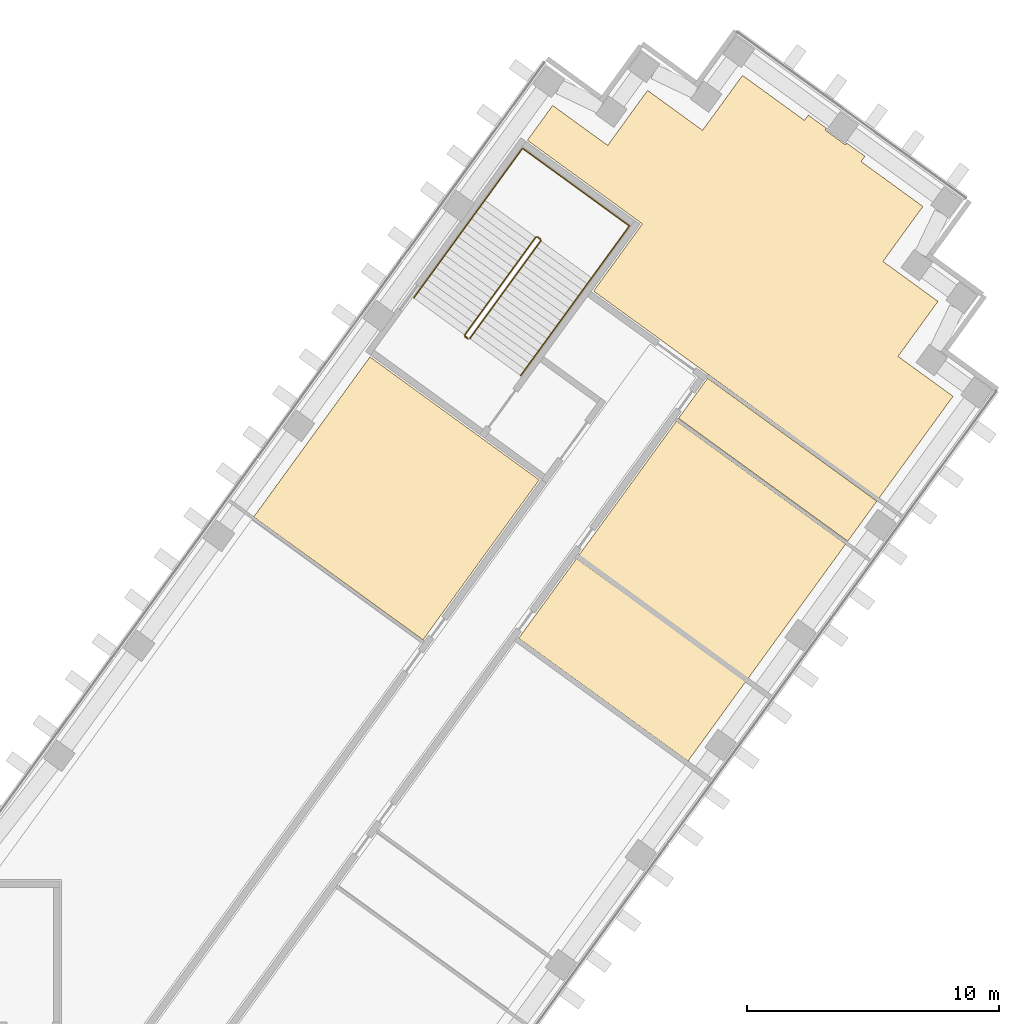
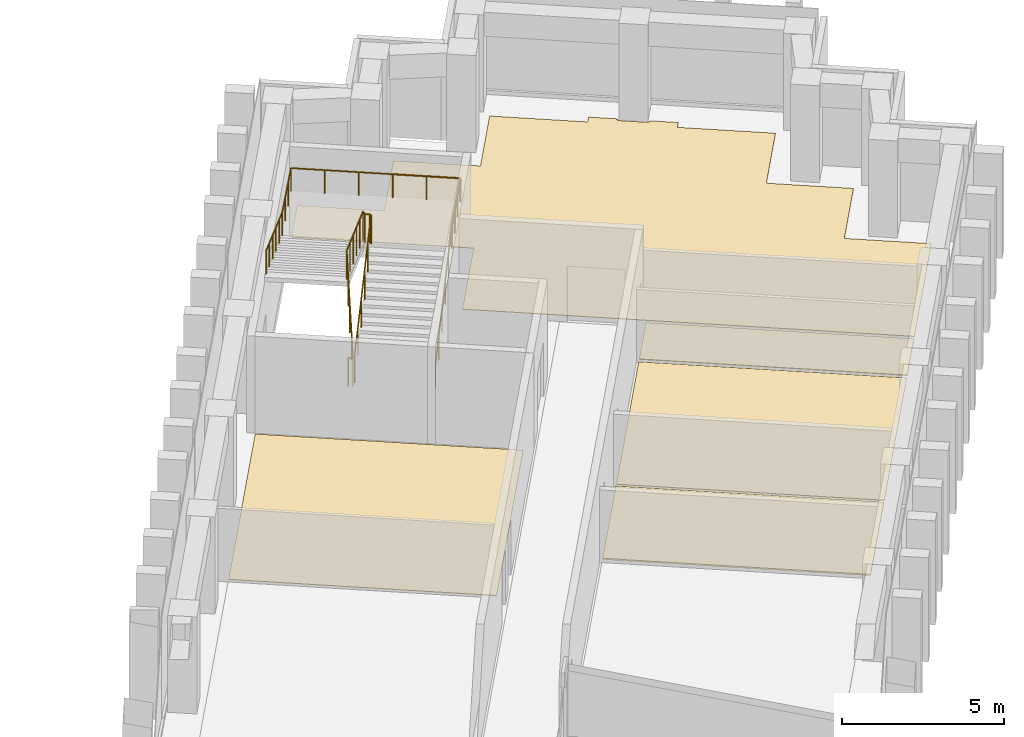
# One storey, part 17 of 17: 5 coverings, 2 railings.
"""IFC4 building model written with IfcOpenShell, lengths in metres."""

from ifc_helpers import new_model, si_unit, direction, frame, origin, origin_2d, place, context, subcontext, project, spatial, polyline, circle, outline, extrude, material, layer, layer_set, type_object, element, save


model = new_model("IFC4")

# Units and contexts
model_context = context("Model", 3, precision=1e-05, world=origin(), true_north=direction((0.0, 1.0)))
body_context = subcontext(model_context, "Body", "Model", "MODEL_VIEW")
ifc_project = project(units=[si_unit("LENGTHUNIT", "METRE"), si_unit("AREAUNIT", "SQUARE_METRE"), si_unit("VOLUMEUNIT", "CUBIC_METRE"), si_unit("PLANEANGLEUNIT", "RADIAN"), si_unit("MASSUNIT", "GRAM", prefix="KILO")], contexts=[model_context])

# Site, building, storey
site_placement = place(None, origin())
site = spatial("IfcSite", under=ifc_project, at=site_placement, CompositionType="ELEMENT")
building_placement = place(site_placement, origin())
building = spatial("IfcBuilding", under=site, at=building_placement, Name="Quipu Civic Tower", CompositionType="ELEMENT")
storey_placement = place(building_placement, frame((0.0, 0.0, 39.0)))
storey = spatial("IfcBuildingStorey", under=building, at=storey_placement, Name="L08", CompositionType="ELEMENT", Elevation=39.0)

# Coverings
ifc_material_1 = material(Name="Carpet tile on raised access floor")
ifc_layer_1 = layer(ifc_material_1, 0.02001953125)
ifc_layer_set_1 = layer_set([ifc_layer_1], Name="Carpet tile on raised access floor")
covering_type_1 = type_object("IfcCoveringType", Name="Carpet tile floor finish 20", PredefinedType="FLOORING", material=ifc_layer_set_1)
covering_1_placement = place(storey_placement, origin())
element("IfcCovering", 1, at=covering_1_placement, inside=storey, type_object=covering_type_1, Name="Carpet tile floor finish 20", PredefinedType="FLOORING", context=body_context, shape_type="SweptSolid", body=[
    extrude(outline(polyline([(25.698974609375, 24.56689453125), (30.31494140625, 30.922119140625), (37.0380859375, 26.0380859375), (32.422119140625, 19.68310546875), (25.698974609375, 24.56689453125)])), origin(), (0.0, 0.0, 1.0), 0.02001953125),
])
covering_2_placement = place(storey_placement, origin())
element("IfcCovering", 2, at=covering_2_placement, inside=storey, type_object=covering_type_1, Name="Carpet tile floor finish 20", PredefinedType="FLOORING", context=body_context, shape_type="SweptSolid", body=[
    extrude(outline(polyline([(38.60791015625, 23.02490234375), (42.491943359375, 28.373046875), (49.216064453125, 23.489013671875), (45.3310546875, 18.14111328125), (38.60791015625, 23.02490234375)])), origin(), (0.0, 0.0, 1.0), 0.02001953125),
])
covering_3_placement = place(storey_placement, origin())
element("IfcCovering", 3, at=covering_3_placement, inside=storey, type_object=covering_type_1, Name="Carpet tile floor finish 20", PredefinedType="FLOORING", context=body_context, shape_type="SweptSolid", body=[
    extrude(outline(polyline([(36.570068359375, 39.530029296875), (37.574951171875, 40.9130859375), (39.760009765625, 39.326904296875), (41.345947265625, 41.510986328125), (43.530029296875, 39.925048828125), (45.116943359375, 42.10791015625), (47.574951171875, 40.322021484375), (47.72900390625, 40.531982421875), (48.449951171875, 40.008056640625), (48.427001953125, 39.97705078125), (48.424072265625, 39.972900390625), (48.422119140625, 39.968017578125), (48.419921875, 39.964111328125), (48.4189453125, 39.958984375), (48.41796875, 39.9541015625), (48.4169921875, 39.948974609375), (48.4169921875, 39.944091796875), (48.41796875, 39.93994140625), (48.4189453125, 39.93505859375), (48.419921875, 39.929931640625), (48.422119140625, 39.926025390625), (48.425048828125, 39.9208984375), (48.427001953125, 39.9169921875), (48.430908203125, 39.9130859375), (48.43408203125, 39.909912109375), (48.43798828125, 39.906982421875), (49.166015625, 39.3779296875), (49.169921875, 39.375), (49.174072265625, 39.373046875), (49.178955078125, 39.37109375), (49.18408203125, 39.3701171875), (49.18896484375, 39.368896484375), (49.193115234375, 39.367919921875), (49.197998046875, 39.367919921875), (49.202880859375, 39.368896484375), (49.2080078125, 39.3701171875), (49.212890625, 39.37109375), (49.217041015625, 39.373046875), (49.220947265625, 39.3759765625), (49.22607421875, 39.3779296875), (49.22900390625, 39.382080078125), (49.23291015625, 39.385009765625), (49.236083984375, 39.388916015625), (49.259033203125, 39.4208984375), (49.97900390625, 38.89697265625), (49.826904296875, 38.68603515625), (52.284912109375, 36.90087890625), (50.698974609375, 34.717041015625), (52.883056640625, 33.12890625), (51.297119140625, 30.945068359375), (53.47998046875, 29.35791015625), (50.535888671875, 25.304931640625), (39.200927734375, 33.5390625), (41.139892578125, 36.208984375), (36.570068359375, 39.530029296875)])), origin(), (0.0, 0.0, 1.0), 0.02001953125),
])
ifc_material_2 = material(Name="Ceramic floor tile")
ifc_layer_2 = layer(ifc_material_2, 0.030029296875)
ifc_layer_set_2 = layer_set([ifc_layer_2], Name="Ceramic floor tile")
covering_type_2 = type_object("IfcCoveringType", Name="Ceramic tile floor finish 30", PredefinedType="FLOORING", material=ifc_layer_set_2)
covering_4_placement = place(storey_placement, origin())
element("IfcCovering", 4, at=covering_4_placement, inside=storey, type_object=covering_type_2, Name="Ceramic tile floor finish 30", PredefinedType="FLOORING", context=body_context, shape_type="SweptSolid", body=[
    extrude(outline(polyline([(42.574951171875, 28.486083984375), (43.72998046875, 30.075927734375), (50.452880859375, 25.19189453125), (49.299072265625, 23.60205078125), (42.574951171875, 28.486083984375)])), origin(), (0.0, 0.0, 1.0), 0.030029296875),
])
ifc_material_3 = material(Name="Sealed cement screed")
ifc_layer_3 = layer(ifc_material_3, 0.050048828125)
ifc_layer_set_3 = layer_set([ifc_layer_3], Name="Sealed cement screed")
covering_type_3 = type_object("IfcCoveringType", Name="Sealed screed floor finish 50", PredefinedType="FLOORING", material=ifc_layer_set_3)
covering_5_placement = place(storey_placement, origin())
element("IfcCovering", 5, at=covering_5_placement, inside=storey, type_object=covering_type_3, Name="Sealed screed floor finish 50", PredefinedType="FLOORING", context=body_context, shape_type="SweptSolid", body=[
    extrude(outline(polyline([(36.22705078125, 19.748046875), (38.52490234375, 22.912109375), (45.248046875, 18.028076171875), (42.950927734375, 14.864990234375), (36.22705078125, 19.748046875)])), origin(), (0.0, 0.0, 1.0), 0.050048828125),
])

# Railings
ifc_material_4 = material(Name="Stainless steel", Category="steel")
railing_type_1 = type_object("IfcRailingType", Name="Stair guard 1100", PredefinedType="GUARDRAIL", material=ifc_material_4)
railing_1_placement = place(storey_placement, frame((34.28125, 31.650390625, 0.11767578125)))
element("IfcRailing", 6, at=railing_1_placement, inside=storey, type_object=railing_type_1, Name="Stair 7 guard", PredefinedType="GUARDRAIL", context=body_context, shape_type="SweptSolid", body=[
    extrude(circle(Radius=0.02392578125, at=origin_2d()), frame((0.0, 0.0, 1.076171875), z_axis=(0.54720100349, 0.753182689643, 0.365084781664), x_axis=(-0.809026317077, 0.587772420479, 0.0)), (0.0, 0.0, 1.0), 5.15576171875),
    extrude(circle(Radius=0.02392578125, at=origin_2d()), frame((2.8212890625, 3.88330078125, 2.95849609375), z_axis=(-0.155430446612, 0.987846838465, 0.0), x_axis=(-0.987846838465, -0.155430446612, 0.0)), (0.0, 0.0, 1.0), 0.07080078125),
    extrude(circle(Radius=0.02392578125, at=origin_2d()), frame((2.810302734375, 3.953125, 2.95849609375), z_axis=(-0.809649071907, 0.586914287065, 0.0), x_axis=(-0.586914287065, -0.809649071907, 0.0)), (0.0, 0.0, 1.0), 0.150146484375),
    extrude(circle(Radius=0.02392578125, at=origin_2d()), frame((2.688720703125, 4.041259765625, 2.95849609375), z_axis=(-0.508654480474, -0.080033047627, 0.857242865693), x_axis=(0.155430446612, -0.987846838465, 0.0)), (0.0, 0.0, 1.0), 0.13720703125),
    extrude(circle(Radius=0.02392578125, at=origin_2d()), frame((2.618896484375, 4.0302734375, 3.076171875), z_axis=(-0.54720100349, -0.753182689643, 0.365084781664), x_axis=(0.809026317077, -0.587772420479, 0.0)), (0.0, 0.0, 1.0), 5.15576171875),
    extrude(circle(Radius=0.02392578125, at=origin_2d()), frame((-0.202392578125, 0.14697265625, 4.95849609375), z_axis=(0.033037246672, -0.039437451286, -0.998675737048), x_axis=(0.766567769536, 0.642163417448, 0.0)), (0.0, 0.0, 1.0), 4.00537109375),
    extrude(circle(Radius=0.02392578125, at=origin_2d()), frame((-0.070068359375, -0.010986328125, 0.95849609375), z_axis=(-0.809087927272, 0.587687609145, 0.0), x_axis=(-0.587687609145, -0.809087927272, 0.0)), (0.0, 0.0, 1.0), 0.14990234375),
    extrude(circle(Radius=0.02099609375, at=origin_2d()), origin(), (0.0, 0.0, 1.0), 1.052001953125),
    extrude(circle(Radius=0.02099609375, at=origin_2d()), frame((0.564208984375, 0.776611328125, 0.37646484375)), (0.0, 0.0, 1.0), 1.052001953125),
    extrude(circle(Radius=0.02099609375, at=origin_2d()), frame((1.12841796875, 1.55322265625, 0.7529296875)), (0.0, 0.0, 1.0), 1.052001953125),
    extrude(circle(Radius=0.02099609375, at=origin_2d()), frame((1.69287109375, 2.330078125, 1.12939453125)), (0.0, 0.0, 1.0), 1.052001953125),
    extrude(circle(Radius=0.02099609375, at=origin_2d()), frame((2.257080078125, 3.106689453125, 1.505859375)), (0.0, 0.0, 1.0), 1.052001953125),
    extrude(circle(Radius=0.02099609375, at=origin_2d()), frame((2.8212890625, 3.88330078125, 1.88232421875)), (0.0, 0.0, 1.0), 1.052001953125),
    extrude(circle(Radius=0.02099609375, at=origin_2d()), frame((2.810302734375, 3.953125, 1.88232421875)), (0.0, 0.0, 1.0), 1.052001953125),
    extrude(circle(Radius=0.02099609375, at=origin_2d()), frame((2.688720703125, 4.041259765625, 1.88232421875)), (0.0, 0.0, 1.0), 1.052001953125),
    extrude(circle(Radius=0.02099609375, at=origin_2d()), frame((2.618896484375, 4.0302734375, 2.0)), (0.0, 0.0, 1.0), 1.052001953125),
    extrude(circle(Radius=0.02099609375, at=origin_2d()), frame((2.0546875, 3.253662109375, 2.37646484375)), (0.0, 0.0, 1.0), 1.052001953125),
    extrude(circle(Radius=0.02099609375, at=origin_2d()), frame((1.490478515625, 2.47705078125, 2.7529296875)), (0.0, 0.0, 1.0), 1.052001953125),
    extrude(circle(Radius=0.02099609375, at=origin_2d()), frame((0.926025390625, 1.7001953125, 3.12939453125)), (0.0, 0.0, 1.0), 1.052001953125),
    extrude(circle(Radius=0.02099609375, at=origin_2d()), frame((0.36181640625, 0.923583984375, 3.505859375)), (0.0, 0.0, 1.0), 1.052001953125),
    extrude(circle(Radius=0.02099609375, at=origin_2d()), frame((-0.202392578125, 0.14697265625, 3.88232421875)), (0.0, 0.0, 1.0), 1.052001953125),
    extrude(circle(Radius=0.02099609375, at=origin_2d()), frame((-0.16943359375, 0.107421875, 2.88232421875)), (0.0, 0.0, 1.0), 1.052001953125),
    extrude(circle(Radius=0.02099609375, at=origin_2d()), frame((-0.13623046875, 0.06787109375, 1.88232421875)), (0.0, 0.0, 1.0), 1.052001953125),
    extrude(circle(Radius=0.02099609375, at=origin_2d()), frame((-0.10302734375, 0.028564453125, 0.88232421875)), (0.0, 0.0, 1.0), 1.052001953125),
    extrude(circle(Radius=0.02099609375, at=origin_2d()), frame((-0.070068359375, -0.010986328125, -0.11767578125)), (0.0, 0.0, 1.0), 1.052001953125),
    extrude(circle(Radius=0.02099609375, at=origin_2d()), frame((-0.19140625, 0.0771484375, -0.11767578125)), (0.0, 0.0, 1.0), 1.052001953125),
])
ifc_material_5 = material(Name="Stainless steel", Category="steel")
railing_type_2 = type_object("IfcRailingType", Name="Stair handrail", PredefinedType="HANDRAIL", material=ifc_material_5)
railing_2_placement = place(storey_placement, frame((36.3037109375, 30.180908203125, 0.11767578125)))
element("IfcRailing", 7, at=railing_2_placement, inside=storey, type_object=railing_type_2, Name="Stair 7 handrail", PredefinedType="HANDRAIL", context=body_context, shape_type="SweptSolid", body=[
    extrude(circle(Radius=0.02392578125, at=origin_2d()), frame((0.0, 0.0, 0.8759765625), z_axis=(0.54720100349, 0.753182689643, 0.365084781664), x_axis=(-0.809026317077, 0.587772420479, 0.0)), (0.0, 0.0, 1.0), 5.15576171875),
    extrude(circle(Radius=0.02392578125, at=origin_2d()), frame((2.8212890625, 3.88330078125, 2.75830078125), z_axis=(0.587767432704, 0.809029940764, 0.0), x_axis=(-0.809029940764, 0.587767432704, 0.0)), (0.0, 0.0, 1.0), 2.550048828125),
    extrude(circle(Radius=0.02392578125, at=origin_2d()), frame((4.320068359375, 5.9462890625, 2.75830078125), z_axis=(-0.809009483706, 0.587795589702, 0.0), x_axis=(-0.587795589702, -0.809009483706, 0.0)), (0.0, 0.0, 1.0), 5.25),
    extrude(circle(Radius=0.02392578125, at=origin_2d()), frame((0.07275390625, 9.0322265625, 2.75830078125), z_axis=(-0.587142558822, -0.808169835812, 0.046099155132), x_axis=(0.809029940764, -0.587767432704, 0.0)), (0.0, 0.0, 1.0), 2.552734375),
    extrude(circle(Radius=0.02392578125, at=origin_2d()), frame((-1.426025390625, 6.96923828125, 2.8759765625), z_axis=(-0.54720100349, -0.753182689643, 0.365084781664), x_axis=(0.809026317077, -0.587772420479, 0.0)), (0.0, 0.0, 1.0), 5.15576171875),
    extrude(circle(Radius=0.02099609375, at=origin_2d()), origin(), (0.0, 0.0, 1.0), 0.851806640625),
    extrude(circle(Radius=0.02099609375, at=origin_2d()), frame((0.564208984375, 0.776611328125, 0.37646484375)), (0.0, 0.0, 1.0), 0.851806640625),
    extrude(circle(Radius=0.02099609375, at=origin_2d()), frame((1.12841796875, 1.55322265625, 0.7529296875)), (0.0, 0.0, 1.0), 0.851806640625),
    extrude(circle(Radius=0.02099609375, at=origin_2d()), frame((1.69287109375, 2.330078125, 1.12939453125)), (0.0, 0.0, 1.0), 0.851806640625),
    extrude(circle(Radius=0.02099609375, at=origin_2d()), frame((2.257080078125, 3.106689453125, 1.505859375)), (0.0, 0.0, 1.0), 0.851806640625),
    extrude(circle(Radius=0.02099609375, at=origin_2d()), frame((2.8212890625, 3.88330078125, 1.88232421875)), (0.0, 0.0, 1.0), 0.851806640625),
    extrude(circle(Radius=0.02099609375, at=origin_2d()), frame((3.32080078125, 4.571044921875, 1.88232421875)), (0.0, 0.0, 1.0), 0.851806640625),
    extrude(circle(Radius=0.02099609375, at=origin_2d()), frame((3.820556640625, 5.258544921875, 1.88232421875)), (0.0, 0.0, 1.0), 0.851806640625),
    extrude(circle(Radius=0.02099609375, at=origin_2d()), frame((4.320068359375, 5.9462890625, 1.88232421875)), (0.0, 0.0, 1.0), 0.851806640625),
    extrude(circle(Radius=0.02099609375, at=origin_2d()), frame((3.470703125, 6.5634765625, 1.88232421875)), (0.0, 0.0, 1.0), 0.851806640625),
    extrude(circle(Radius=0.02099609375, at=origin_2d()), frame((2.62109375, 7.1806640625, 1.88232421875)), (0.0, 0.0, 1.0), 0.851806640625),
    extrude(circle(Radius=0.02099609375, at=origin_2d()), frame((1.771728515625, 7.7978515625, 1.88232421875)), (0.0, 0.0, 1.0), 0.851806640625),
    extrude(circle(Radius=0.02099609375, at=origin_2d()), frame((0.922119140625, 8.4150390625, 1.88232421875)), (0.0, 0.0, 1.0), 0.851806640625),
    extrude(circle(Radius=0.02099609375, at=origin_2d()), frame((0.07275390625, 9.0322265625, 1.88232421875)), (0.0, 0.0, 1.0), 0.851806640625),
    extrude(circle(Radius=0.02099609375, at=origin_2d()), frame((-0.4267578125, 8.344482421875, 1.921630859375)), (0.0, 0.0, 1.0), 0.851806640625),
    extrude(circle(Radius=0.02099609375, at=origin_2d()), frame((-0.926513671875, 7.656982421875, 1.960693359375)), (0.0, 0.0, 1.0), 0.851806640625),
    extrude(circle(Radius=0.02099609375, at=origin_2d()), frame((-1.426025390625, 6.96923828125, 2.0)), (0.0, 0.0, 1.0), 0.851806640625),
    extrude(circle(Radius=0.02099609375, at=origin_2d()), frame((-1.990234375, 6.192626953125, 2.37646484375)), (0.0, 0.0, 1.0), 0.851806640625),
    extrude(circle(Radius=0.02099609375, at=origin_2d()), frame((-2.554443359375, 5.416015625, 2.7529296875)), (0.0, 0.0, 1.0), 0.851806640625),
    extrude(circle(Radius=0.02099609375, at=origin_2d()), frame((-3.118896484375, 4.63916015625, 3.12939453125)), (0.0, 0.0, 1.0), 0.851806640625),
    extrude(circle(Radius=0.02099609375, at=origin_2d()), frame((-3.68310546875, 3.862548828125, 3.505859375)), (0.0, 0.0, 1.0), 0.851806640625),
    extrude(circle(Radius=0.02099609375, at=origin_2d()), frame((-4.247314453125, 3.0859375, 3.88232421875)), (0.0, 0.0, 1.0), 0.851806640625),
])

save(model, "model.ifc")
